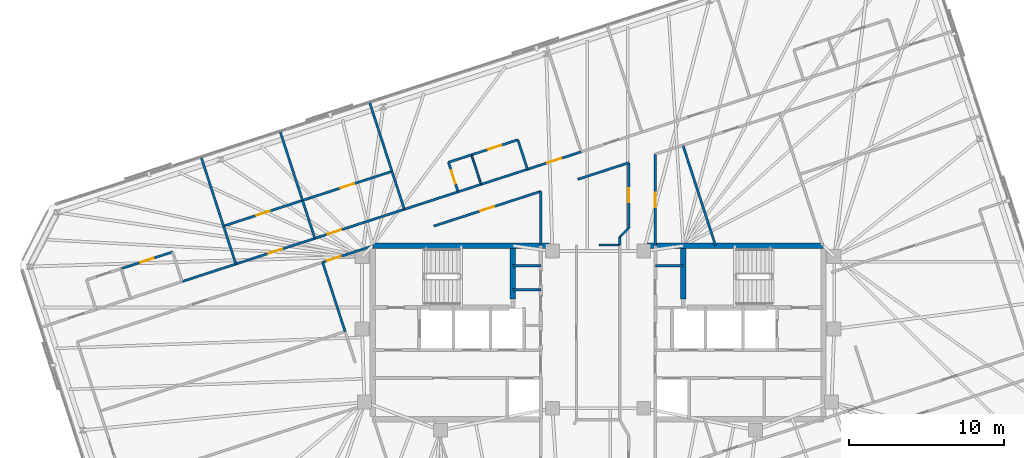
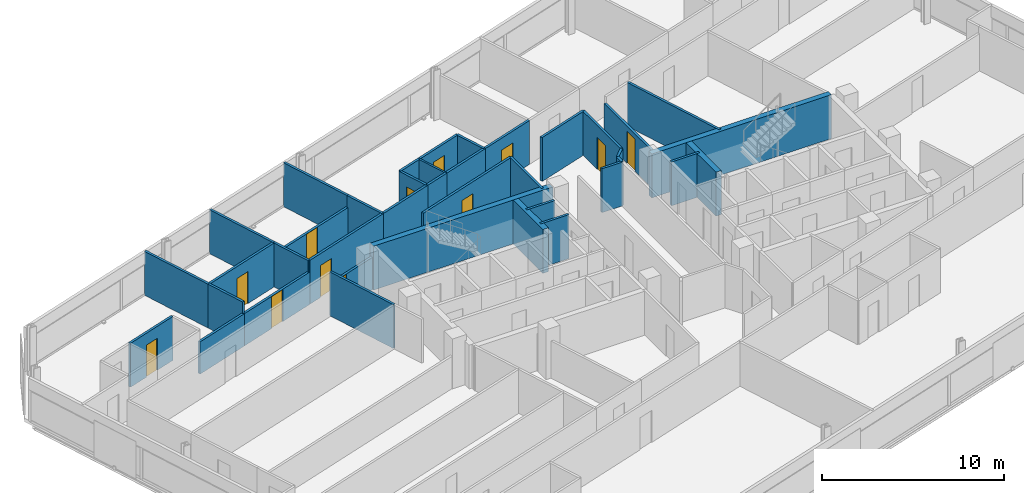
# One storey, part 16 of 19: 39 walls, 12 doors, 12 openings.
"""IFC4 building model written with IfcOpenShell, lengths in metres."""

from ifc_helpers import new_model, si_unit, direction, frame, frame_2d, origin, place, context, subcontext, project, spatial, rectangle, extrude, material, layer, layer_set, type_object, element, fill, save


model = new_model("IFC4")

# Units and contexts
model_context = context("Model", 3, precision=1e-05, world=origin(), true_north=direction((0.0, 1.0)))
body_context = subcontext(model_context, "Body", "Model", "MODEL_VIEW")
ifc_project = project(units=[si_unit("LENGTHUNIT", "METRE"), si_unit("AREAUNIT", "SQUARE_METRE"), si_unit("VOLUMEUNIT", "CUBIC_METRE"), si_unit("PLANEANGLEUNIT", "RADIAN"), si_unit("MASSUNIT", "GRAM", prefix="KILO")], contexts=[model_context])

# Site, building, storey
site_placement = place(None, origin())
site = spatial("IfcSite", under=ifc_project, at=site_placement, CompositionType="ELEMENT")
building_placement = place(site_placement, origin())
building = spatial("IfcBuilding", under=site, at=building_placement, Name="Menara Jurai Vektor", CompositionType="ELEMENT")
storey_placement = place(building_placement, frame((0.0, 0.0, 251.10009765625)))
storey = spatial("IfcBuildingStorey", under=building, at=storey_placement, Name="L67", CompositionType="ELEMENT", Elevation=251.10009765625)

# Walls
ifc_material_1 = material(Name="Gypsum Fireboard Partition", Category="gypsum")
ifc_layer_1 = layer(ifc_material_1, 0.14990234375)
ifc_layer_set_1 = layer_set([ifc_layer_1], Name="Gypsum Fireboard Partition")
wall_type_1 = type_object("IfcWallType", Name="INT-WALL-CORR-150", PredefinedType="PARTITIONING", material=ifc_layer_set_1)
for number, where, z_axis, x_axis, name in (
    (1, (-5.5, 4.300048828125, 0.0), (0.0, 0.0, 1.0), (1.0, 0.0, 0.0), "Interior Wall IW-150 L67"),
    (2, (-5.5, 2.75, 0.0), (0.0, 0.0, 1.0), (1.0, 0.0, 0.0), "Interior Wall IW-150 L67"),
    (3, (3.699951171875, 4.300048828125, 0.0), (0.0, 0.0, 1.0), (1.0, 0.0, 0.0), "Interior Wall IW-150 L67"),
):
    element("IfcWall", number, at=place(storey_placement, frame(where, z_axis=z_axis, x_axis=x_axis)), inside=storey, type_object=wall_type_1, Name=name, PredefinedType="PARTITIONING", context=body_context, shape_type="SweptSolid", body=[
        extrude(rectangle(XDim=1.800048828125, YDim=0.14990234375, at=frame_2d((0.89990234375, 0.0))), origin(), (0.0, 0.0, 1.0), 2.949951171875),
    ])
wall_1_placement = place(storey_placement, frame((-12.513427734375, 7.94921875, 0.0), z_axis=(0.0, 0.0, 1.0), x_axis=(0.951050780541, 0.309034646652, 0.0)))
element("IfcWall", 4, at=wall_1_placement, inside=storey, type_object=wall_type_1, Name="Interior Wall IW-150 L67", PredefinedType="PARTITIONING", context=body_context, shape_type="SweptSolid", body=[
    extrude(rectangle(XDim=3.64990234375, YDim=0.14990234375, at=frame_2d((1.824951171875, 0.0))), origin(), (0.0, 0.0, 1.0), 2.949951171875),
])

# Wall, opening, door
wall_2_placement = place(storey_placement, frame((-4.560791015625, 10.533203125, 0.0), z_axis=(0.0, 0.0, 1.0), x_axis=(0.951057168147, 0.309014988174, 0.0)))
wall_2 = element("IfcWall", 5, at=wall_2_placement, inside=storey, type_object=wall_type_1, Name="Interior Wall IW-150 L67", PredefinedType="PARTITIONING", context=body_context, shape_type="SweptSolid", body=[
    extrude(rectangle(XDim=3.650146484375, YDim=0.14990234375, at=frame_2d((1.8251953125, 0.0))), origin(), (0.0, 0.0, 1.0), 2.949951171875),
])
opening_1_placement = place(wall_2_placement, frame((1.35009765625, 0.0, 0.0)))
opening_1 = element("IfcOpeningElement", 6, at=opening_1_placement, cuts=wall_2, Name="Opening D67-13", PredefinedType="OPENING", context=body_context, shape_type="SweptSolid", body=[
    extrude(rectangle(XDim=0.949951171875, YDim=2.14990234375, at=frame_2d((0.47509765625, 1.074951171875))), frame((0.0, 0.0849609375, 0.0), z_axis=(0.0, -1.0, 0.0), x_axis=(1.0, 0.0, 0.0)), (0.0, 0.0, 1.0), 0.169921875),
])
ifc_material_2 = material(Name="Solid Core Timber Fire Door", Category="wood")
door_type_1 = type_object("IfcDoorType", Name="DR-ENTRY-950", OperationType="NOTDEFINED", PredefinedType="DOOR", material=ifc_material_2)
door_1_placement = place(opening_1_placement, origin())
door_1 = element("IfcDoor", 7, at=door_1_placement, inside=storey, type_object=door_type_1, Name="Interior Door D67-13", OperationType="SINGLE_SWING_LEFT", OverallHeight=2.14990234375, OverallWidth=0.949951171875, PredefinedType="DOOR", context=body_context, shape_type="SweptSolid", body=[
    extrude(rectangle(XDim=0.949951171875, YDim=2.14990234375, at=frame_2d((0.47509765625, 1.074951171875))), frame((0.0, 0.02490234375, 0.0), z_axis=(0.0, -1.0, 0.0), x_axis=(1.0, 0.0, 0.0)), (0.0, 0.0, 1.0), 0.050048828125),
])
fill(opening_1, door_1)

# Walls
wall_3_placement = place(storey_placement, frame((-9.042236328125, 9.0771484375, 0.0), z_axis=(0.0, 0.0, 1.0), x_axis=(0.951062779317, 0.308997718112, 0.0)))
element("IfcWall", 8, at=wall_3_placement, inside=storey, type_object=wall_type_1, Name="Interior Wall IW-150 L67", PredefinedType="PARTITIONING", context=body_context, shape_type="SweptSolid", body=[
    extrude(rectangle(XDim=1.56201171875, YDim=0.14990234375, at=frame_2d((0.781005859375, 0.0))), origin(), (0.0, 0.0, 1.0), 2.949951171875),
])
wall_4_placement = place(storey_placement, frame((-7.556640625, 9.559814453125, 0.0), z_axis=(0.0, 0.0, 1.0), x_axis=(0.951058557014, 0.309010713619, 0.0)))
element("IfcWall", 9, at=wall_4_placement, inside=storey, type_object=wall_type_1, Name="Interior Wall IW-150 L67", PredefinedType="PARTITIONING", context=body_context, shape_type="SweptSolid", body=[
    extrude(rectangle(XDim=3.14990234375, YDim=0.14990234375, at=frame_2d((1.574951171875, 0.0))), origin(), (0.0, 0.0, 1.0), 2.949951171875),
])
wall_5_placement = place(storey_placement, frame((-1.310791015625, 9.885986328125, 0.0), z_axis=(0.0, 0.0, 1.0), x_axis=(0.951068803905, 0.308979174442, 0.0)))
element("IfcWall", 10, at=wall_5_placement, inside=storey, type_object=wall_type_1, Name="Interior Wall IW-150 L67", PredefinedType="PARTITIONING", context=body_context, shape_type="SweptSolid", body=[
    extrude(rectangle(XDim=3.4599609375, YDim=0.14990234375, at=frame_2d((1.72998046875, 0.0))), origin(), (0.0, 0.0, 1.0), 2.949951171875),
])
wall_6_placement = place(storey_placement, frame((1.390625, 5.6494140625, 0.0), z_axis=(0.0, 0.0, 1.0), x_axis=(0.000957395444, 0.999999541697, 0.0)))
element("IfcWall", 11, at=wall_6_placement, inside=storey, type_object=wall_type_1, Name="Interior Wall IW-150 L67", PredefinedType="PARTITIONING", context=body_context, shape_type="SweptSolid", body=[
    extrude(rectangle(XDim=0.510009765625, YDim=0.14990234375, at=frame_2d((0.2548828125, 0.0))), origin(), (0.0, 0.0, 1.0), 2.949951171875),
])
wall_7_placement = place(storey_placement, frame((1.39111328125, 6.159423828125, 0.0), z_axis=(0.0, 0.0, 1.0), x_axis=(0.707106781187, 0.707106781187, 0.0)))
element("IfcWall", 12, at=wall_7_placement, inside=storey, type_object=wall_type_1, Name="Interior Wall IW-150 L67", PredefinedType="PARTITIONING", context=body_context, shape_type="SweptSolid", body=[
    extrude(rectangle(XDim=0.832763671875, YDim=0.14990234375, at=frame_2d((0.41650390625, 0.0))), origin(), (0.0, 0.0, 1.0), 2.949951171875),
])

# Wall, opening, door
wall_8_placement = place(storey_placement, frame((1.97998046875, 6.748291015625, 0.0), z_axis=(0.0, 0.0, 1.0), x_axis=(0.0, 1.0, 0.0)))
wall_8 = element("IfcWall", 13, at=wall_8_placement, inside=storey, type_object=wall_type_1, Name="Interior Wall IW-150 L67", PredefinedType="PARTITIONING", context=body_context, shape_type="SweptSolid", body=[
    extrude(rectangle(XDim=4.206787109375, YDim=0.14990234375, at=frame_2d((2.103515625, 0.0))), origin(), (0.0, 0.0, 1.0), 2.949951171875),
])
opening_2_placement = place(wall_8_placement, frame((1.643310546875, 0.0, 0.0)))
opening_2 = element("IfcOpeningElement", 14, at=opening_2_placement, cuts=wall_8, Name="Opening D67-41", PredefinedType="OPENING", context=body_context, shape_type="SweptSolid", body=[
    extrude(rectangle(XDim=0.919921875, YDim=2.14990234375, at=frame_2d((0.4599609375, 1.074951171875))), frame((0.0, 0.0849609375, 0.0), z_axis=(0.0, -1.0, 0.0), x_axis=(1.0, 0.0, 0.0)), (0.0, 0.0, 1.0), 0.169921875),
])
door_2_placement = place(opening_2_placement, origin())
door_2 = element("IfcDoor", 15, at=door_2_placement, inside=storey, type_object=door_type_1, Name="Interior Door D67-41", OperationType="SINGLE_SWING_LEFT", OverallHeight=2.14990234375, OverallWidth=0.919921875, PredefinedType="DOOR", context=body_context, shape_type="SweptSolid", body=[
    extrude(rectangle(XDim=0.919921875, YDim=2.14990234375, at=frame_2d((0.4599609375, 1.074951171875))), frame((0.0, 0.02490234375, 0.0), z_axis=(0.0, -1.0, 0.0), x_axis=(1.0, 0.0, 0.0)), (0.0, 0.0, 1.0), 0.050048828125),
])
fill(opening_2, door_2)

wall_9_placement = place(storey_placement, frame((-10.612060546875, 6.86376953125, 0.0), z_axis=(0.0, 0.0, 1.0), x_axis=(0.951060972078, 0.309003280548, 0.0)))
wall_9 = element("IfcWall", 16, at=wall_9_placement, inside=storey, type_object=wall_type_1, Name="Interior Wall IW-150 L67", PredefinedType="PARTITIONING", context=body_context, shape_type="SweptSolid", body=[
    extrude(rectangle(XDim=7.26806640625, YDim=0.14990234375, at=frame_2d((3.634033203125, 0.0))), origin(), (0.0, 0.0, 1.0), 2.949951171875),
])
opening_3_placement = place(wall_9_placement, frame((3.174072265625, 0.0, 0.0)))
opening_3 = element("IfcOpeningElement", 17, at=opening_3_placement, cuts=wall_9, Name="Opening D67-42", PredefinedType="OPENING", context=body_context, shape_type="SweptSolid", body=[
    extrude(rectangle(XDim=0.919921875, YDim=2.14990234375, at=frame_2d((0.4599609375, 1.074951171875))), frame((0.0, 0.0849609375, 0.0), z_axis=(0.0, -1.0, 0.0), x_axis=(1.0, 0.0, 0.0)), (0.0, 0.0, 1.0), 0.169921875),
])
door_3_placement = place(opening_3_placement, origin())
door_3 = element("IfcDoor", 18, at=door_3_placement, inside=storey, type_object=door_type_1, Name="Interior Door D67-42", OperationType="SINGLE_SWING_RIGHT", OverallHeight=2.14990234375, OverallWidth=0.919921875, PredefinedType="DOOR", context=body_context, shape_type="SweptSolid", body=[
    extrude(rectangle(XDim=0.919921875, YDim=2.14990234375, at=frame_2d((0.4599609375, 1.074951171875))), frame((0.0, 0.02490234375, 0.0), z_axis=(0.0, -1.0, 0.0), x_axis=(1.0, 0.0, 0.0)), (0.0, 0.0, 1.0), 0.050048828125),
])
fill(opening_3, door_3)

# Wall
wall_10_placement = place(storey_placement, frame((-3.7001953125, 5.599853515625, 0.0), z_axis=(0.0, 0.0, 1.0), x_axis=(0.000139120755, 0.999999990323, 0.0)))
element("IfcWall", 19, at=wall_10_placement, inside=storey, type_object=wall_type_1, Name="Interior Wall IW-150 L67", PredefinedType="PARTITIONING", context=body_context, shape_type="SweptSolid", body=[
    extrude(rectangle(XDim=3.509765625, YDim=0.14990234375, at=frame_2d((1.7548828125, 0.0))), origin(), (0.0, 0.0, 1.0), 2.949951171875),
])

# Wall, opening, door
wall_11_placement = place(storey_placement, frame((-18.2919921875, 6.07177734375, 0.0), z_axis=(0.0, 0.0, 1.0), x_axis=(0.951062707515, 0.30899793911, 0.0)))
wall_11 = element("IfcWall", 20, at=wall_11_placement, inside=storey, type_object=wall_type_1, Name="Interior Wall IW-150 L67", PredefinedType="PARTITIONING", context=body_context, shape_type="SweptSolid", body=[
    extrude(rectangle(XDim=6.075927734375, YDim=0.14990234375, at=frame_2d((3.0380859375, 0.0))), origin(), (0.0, 0.0, 1.0), 2.949951171875),
])
opening_4_placement = place(wall_11_placement, frame((0.876708984375, 0.0, 0.0)))
opening_4 = element("IfcOpeningElement", 21, at=opening_4_placement, cuts=wall_11, Name="Opening D67-43", PredefinedType="OPENING", context=body_context, shape_type="SweptSolid", body=[
    extrude(rectangle(XDim=0.919921875, YDim=2.14990234375, at=frame_2d((0.4599609375, 1.074951171875))), frame((0.0, 0.0849609375, 0.0), z_axis=(0.0, -1.0, 0.0), x_axis=(1.0, 0.0, 0.0)), (0.0, 0.0, 1.0), 0.169921875),
])
door_4_placement = place(opening_4_placement, origin())
door_4 = element("IfcDoor", 22, at=door_4_placement, inside=storey, type_object=door_type_1, Name="Interior Door D67-43", OperationType="SINGLE_SWING_LEFT", OverallHeight=2.14990234375, OverallWidth=0.919921875, PredefinedType="DOOR", context=body_context, shape_type="SweptSolid", body=[
    extrude(rectangle(XDim=0.919921875, YDim=2.14990234375, at=frame_2d((0.4599609375, 1.074951171875))), frame((0.0, 0.02490234375, 0.0), z_axis=(0.0, -1.0, 0.0), x_axis=(1.0, 0.0, 0.0)), (0.0, 0.0, 1.0), 0.050048828125),
])
fill(opening_4, door_4)

# Wall
wall_12_placement = place(storey_placement, frame((0.065673828125, 5.64990234375, 0.0), z_axis=(0.0, 0.0, 1.0), x_axis=(0.999999932094, -0.000368527707, 0.0)))
element("IfcWall", 23, at=wall_12_placement, inside=storey, type_object=wall_type_1, Name="Interior Wall IW-150 L67", PredefinedType="PARTITIONING", context=body_context, shape_type="SweptSolid", body=[
    extrude(rectangle(XDim=1.324951171875, YDim=0.14990234375, at=frame_2d((0.66259765625, 0.0))), origin(), (0.0, 0.0, 1.0), 2.949951171875),
])

# Wall, opening, door
wall_13_placement = place(storey_placement, frame((-30.811279296875, 4.1123046875, 0.0), z_axis=(0.0, 0.0, 1.0), x_axis=(0.951063814176, 0.308994532905, 0.0)))
wall_13 = element("IfcWall", 24, at=wall_13_placement, inside=storey, type_object=wall_type_1, Name="Interior Wall IW-150 L67", PredefinedType="PARTITIONING", context=body_context, shape_type="SweptSolid", body=[
    extrude(rectangle(XDim=3.497802734375, YDim=0.14990234375, at=frame_2d((1.7490234375, 0.0))), origin(), (0.0, 0.0, 1.0), 2.949951171875),
])
opening_5_placement = place(wall_13_placement, frame((1.299072265625, 0.0, 0.0)))
opening_5 = element("IfcOpeningElement", 25, at=opening_5_placement, cuts=wall_13, Name="Opening D67-12", PredefinedType="OPENING", context=body_context, shape_type="SweptSolid", body=[
    extrude(rectangle(XDim=0.89990234375, YDim=2.14990234375, at=frame_2d((0.449951171875, 1.074951171875))), frame((0.0, 0.0849609375, 0.0), z_axis=(0.0, -1.0, 0.0), x_axis=(1.0, 0.0, 0.0)), (0.0, 0.0, 1.0), 0.169921875),
])
ifc_material_3 = material(Name="Acoustic Timber Interior Door", Category="wood")
door_type_2 = type_object("IfcDoorType", Name="DR-ROOM-900", OperationType="NOTDEFINED", PredefinedType="DOOR", material=ifc_material_3)
door_5_placement = place(opening_5_placement, origin())
door_5 = element("IfcDoor", 26, at=door_5_placement, inside=storey, type_object=door_type_2, Name="Interior Door D67-12", OperationType="SINGLE_SWING_RIGHT", OverallHeight=2.14990234375, OverallWidth=0.89990234375, PredefinedType="DOOR", context=body_context, shape_type="SweptSolid", body=[
    extrude(rectangle(XDim=0.89990234375, YDim=2.14990234375, at=frame_2d((0.449951171875, 1.074951171875))), frame((0.0, 0.02490234375, 0.0), z_axis=(0.0, -1.0, 0.0), x_axis=(1.0, 0.0, 0.0)), (0.0, 0.0, 1.0), 0.050048828125),
])
fill(opening_5, door_5)

# Walls
wall_14_placement = place(storey_placement, frame((-23.3935546875, 4.4140625, 0.0), z_axis=(0.0, 0.0, 1.0), x_axis=(-0.308976906612, 0.951069540665, 0.0)))
element("IfcWall", 27, at=wall_14_placement, inside=storey, type_object=wall_type_1, Name="Interior Wall IW-150 L67", PredefinedType="PARTITIONING", context=body_context, shape_type="SweptSolid", body=[
    extrude(rectangle(XDim=2.5791015625, YDim=0.14990234375, at=frame_2d((1.28955078125, 0.0))), origin(), (0.0, 0.0, 1.0), 2.949951171875),
])
wall_15_placement = place(storey_placement, frame((-24.1904296875, 6.866943359375, 0.0), z_axis=(0.0, 0.0, 1.0), x_axis=(-0.309057912466, 0.951043220228, 0.0)))
element("IfcWall", 28, at=wall_15_placement, inside=storey, type_object=wall_type_1, Name="Interior Wall IW-150 L67", PredefinedType="PARTITIONING", context=body_context, shape_type="SweptSolid", body=[
    extrude(rectangle(XDim=4.704833984375, YDim=0.14990234375, at=frame_2d((2.3525390625, 0.0))), origin(), (0.0, 0.0, 1.0), 2.949951171875),
])

# Wall, opening, door
wall_16_placement = place(storey_placement, frame((-9.042236328125, 9.0771484375, 0.0), z_axis=(0.0, 0.0, 1.0), x_axis=(-0.308912611775, 0.951090425925, 0.0)))
wall_16 = element("IfcWall", 29, at=wall_16_placement, inside=storey, type_object=wall_type_1, Name="Interior Wall IW-150 L67", PredefinedType="PARTITIONING", context=body_context, shape_type="SweptSolid", body=[
    extrude(rectangle(XDim=2.005126953125, YDim=0.14990234375, at=frame_2d((1.00244140625, 0.0))), origin(), (0.0, 0.0, 1.0), 2.949951171875),
])
opening_6_placement = place(wall_16_placement, frame((0.5625, 0.0, 0.0)))
opening_6 = element("IfcOpeningElement", 30, at=opening_6_placement, cuts=wall_16, Name="Opening D67-14", PredefinedType="OPENING", context=body_context, shape_type="SweptSolid", body=[
    extrude(rectangle(XDim=0.8798828125, YDim=2.14990234375, at=frame_2d((0.43994140625, 1.074951171875))), frame((0.0, 0.0849609375, 0.0), z_axis=(0.0, -1.0, 0.0), x_axis=(1.0, 0.0, 0.0)), (0.0, 0.0, 1.0), 0.169921875),
])
ifc_material_4 = material(Name="Moisture-Resistant Timber Door", Category="wood")
door_type_3 = type_object("IfcDoorType", Name="DR-BATH-880", OperationType="NOTDEFINED", PredefinedType="DOOR", material=ifc_material_4)
door_6_placement = place(opening_6_placement, origin())
door_6 = element("IfcDoor", 31, at=door_6_placement, inside=storey, type_object=door_type_3, Name="Interior Door D67-14", OperationType="SINGLE_SWING_RIGHT", OverallHeight=2.14990234375, OverallWidth=0.8798828125, PredefinedType="DOOR", context=body_context, shape_type="SweptSolid", body=[
    extrude(rectangle(XDim=0.8798828125, YDim=2.14990234375, at=frame_2d((0.43994140625, 1.074951171875))), frame((0.0, 0.02490234375, 0.0), z_axis=(0.0, -1.0, 0.0), x_axis=(1.0, 0.0, 0.0)), (0.0, 0.0, 1.0), 0.050048828125),
])
fill(opening_6, door_6)

# Wall
wall_17_placement = place(storey_placement, frame((-9.66162109375, 10.984130859375, 0.0), z_axis=(0.0, 0.0, 1.0), x_axis=(0.951047852885, 0.309043656337, 0.0)))
element("IfcWall", 32, at=wall_17_placement, inside=storey, type_object=wall_type_1, Name="Interior Wall IW-150 L67", PredefinedType="PARTITIONING", context=body_context, shape_type="SweptSolid", body=[
    extrude(rectangle(XDim=1.561767578125, YDim=0.14990234375, at=frame_2d((0.78076171875, 0.0))), origin(), (0.0, 0.0, 1.0), 2.949951171875),
])

# Wall, opening, door
wall_18_placement = place(storey_placement, frame((-8.17626953125, 11.466796875, 0.0), z_axis=(0.0, 0.0, 1.0), x_axis=(0.951058557014, 0.309010713619, 0.0)))
wall_18 = element("IfcWall", 33, at=wall_18_placement, inside=storey, type_object=wall_type_1, Name="Interior Wall IW-150 L67", PredefinedType="PARTITIONING", context=body_context, shape_type="SweptSolid", body=[
    extrude(rectangle(XDim=3.14990234375, YDim=0.14990234375, at=frame_2d((1.574951171875, 0.0))), origin(), (0.0, 0.0, 1.0), 2.949951171875),
])
opening_7_placement = place(wall_18_placement, frame((1.125, 0.0, 0.0)))
opening_7 = element("IfcOpeningElement", 34, at=opening_7_placement, cuts=wall_18, Name="Opening D67-15", PredefinedType="OPENING", context=body_context, shape_type="SweptSolid", body=[
    extrude(rectangle(XDim=0.89990234375, YDim=2.14990234375, at=frame_2d((0.449951171875, 1.074951171875))), frame((0.0, 0.0849609375, 0.0), z_axis=(0.0, -1.0, 0.0), x_axis=(1.0, 0.0, 0.0)), (0.0, 0.0, 1.0), 0.169921875),
])
door_7_placement = place(opening_7_placement, origin())
door_7 = element("IfcDoor", 35, at=door_7_placement, inside=storey, type_object=door_type_2, Name="Interior Door D67-15", OperationType="SINGLE_SWING_LEFT", OverallHeight=2.14990234375, OverallWidth=0.89990234375, PredefinedType="DOOR", context=body_context, shape_type="SweptSolid", body=[
    extrude(rectangle(XDim=0.89990234375, YDim=2.14990234375, at=frame_2d((0.449951171875, 1.074951171875))), frame((0.0, 0.02490234375, 0.0), z_axis=(0.0, -1.0, 0.0), x_axis=(1.0, 0.0, 0.0)), (0.0, 0.0, 1.0), 0.050048828125),
])
fill(opening_7, door_7)

# Walls
wall_19_placement = place(storey_placement, frame((-4.560791015625, 10.533203125, 0.0), z_axis=(0.0, 0.0, 1.0), x_axis=(-0.309022749039, 0.951054646472, 0.0)))
element("IfcWall", 36, at=wall_19_placement, inside=storey, type_object=wall_type_1, Name="Interior Wall IW-150 L67", PredefinedType="PARTITIONING", context=body_context, shape_type="SweptSolid", body=[
    extrude(rectangle(XDim=2.005126953125, YDim=0.14990234375, at=frame_2d((1.00244140625, 0.0))), origin(), (0.0, 0.0, 1.0), 2.949951171875),
])
wall_20_placement = place(storey_placement, frame((-12.513427734375, 7.94921875, 0.0), z_axis=(0.0, 0.0, 1.0), x_axis=(-0.309062527822, 0.951041720376, 0.0)))
element("IfcWall", 37, at=wall_20_placement, inside=storey, type_object=wall_type_1, Name="Interior Wall IW-150 L67", PredefinedType="PARTITIONING", context=body_context, shape_type="SweptSolid", body=[
    extrude(rectangle(XDim=2.5791015625, YDim=0.14990234375, at=frame_2d((1.28955078125, 0.0))), origin(), (0.0, 0.0, 1.0), 2.949951171875),
])
wall_21_placement = place(storey_placement, frame((-13.310546875, 10.402099609375, 0.0), z_axis=(0.0, 0.0, 1.0), x_axis=(-0.309010977541, 0.951058471262, 0.0)))
element("IfcWall", 38, at=wall_21_placement, inside=storey, type_object=wall_type_1, Name="Interior Wall IW-150 L67", PredefinedType="PARTITIONING", context=body_context, shape_type="SweptSolid", body=[
    extrude(rectangle(XDim=4.704833984375, YDim=0.14990234375, at=frame_2d((2.3525390625, 0.0))), origin(), (0.0, 0.0, 1.0), 2.949951171875),
])
wall_22_placement = place(storey_placement, frame((-16.3369140625, 0.054443359375, 0.0), z_axis=(0.0, 0.0, 1.0), x_axis=(-0.309029776355, 0.951052363083, 0.0)))
element("IfcWall", 39, at=wall_22_placement, inside=storey, type_object=wall_type_1, Name="Interior Wall IW-150 L67", PredefinedType="PARTITIONING", context=body_context, shape_type="SweptSolid", body=[
    extrude(rectangle(XDim=4.70703125, YDim=0.14990234375, at=frame_2d((2.353515625, 0.0))), origin(), (0.0, 0.0, 1.0), 2.949951171875),
])

# Wall, opening, door
wall_23_placement = place(storey_placement, frame((-24.1904296875, 6.866943359375, 0.0), z_axis=(0.0, 0.0, 1.0), x_axis=(0.951059152206, 0.309008881758, 0.0)))
wall_23 = element("IfcWall", 40, at=wall_23_placement, inside=storey, type_object=wall_type_1, Name="Interior Wall IW-150 L67", PredefinedType="PARTITIONING", context=body_context, shape_type="SweptSolid", body=[
    extrude(rectangle(XDim=5.36376953125, YDim=0.14990234375, at=frame_2d((2.681884765625, 0.0))), origin(), (0.0, 0.0, 1.0), 2.949951171875),
])
opening_8_placement = place(wall_23_placement, frame((2.221923828125, 0.0, 0.0)))
opening_8 = element("IfcOpeningElement", 41, at=opening_8_placement, cuts=wall_23, Name="Opening D67-31", PredefinedType="OPENING", context=body_context, shape_type="SweptSolid", body=[
    extrude(rectangle(XDim=0.919921875, YDim=2.14990234375, at=frame_2d((0.4599609375, 1.074951171875))), frame((0.0, 0.0849609375, 0.0), z_axis=(0.0, -1.0, 0.0), x_axis=(1.0, 0.0, 0.0)), (0.0, 0.0, 1.0), 0.169921875),
])
door_8_placement = place(opening_8_placement, origin())
door_8 = element("IfcDoor", 42, at=door_8_placement, inside=storey, type_object=door_type_1, Name="Interior Door D67-31", OperationType="SINGLE_SWING_LEFT", OverallHeight=2.14990234375, OverallWidth=0.919921875, PredefinedType="DOOR", context=body_context, shape_type="SweptSolid", body=[
    extrude(rectangle(XDim=0.919921875, YDim=2.14990234375, at=frame_2d((0.4599609375, 1.074951171875))), frame((0.0, 0.02490234375, 0.0), z_axis=(0.0, -1.0, 0.0), x_axis=(1.0, 0.0, 0.0)), (0.0, 0.0, 1.0), 0.050048828125),
])
fill(opening_8, door_8)

# Walls
wall_24_placement = place(storey_placement, frame((-18.2919921875, 6.07177734375, 0.0), z_axis=(0.0, 0.0, 1.0), x_axis=(-0.309090353524, 0.951032677335, 0.0)))
element("IfcWall", 43, at=wall_24_placement, inside=storey, type_object=wall_type_1, Name="Interior Wall IW-150 L67", PredefinedType="PARTITIONING", context=body_context, shape_type="SweptSolid", body=[
    extrude(rectangle(XDim=2.578857421875, YDim=0.14990234375, at=frame_2d((1.28955078125, 0.0))), origin(), (0.0, 0.0, 1.0), 2.949951171875),
])
wall_25_placement = place(storey_placement, frame((-19.089111328125, 8.5244140625, 0.0), z_axis=(0.0, 0.0, 1.0), x_axis=(-0.308995728133, 0.951063425853, 0.0)))
element("IfcWall", 44, at=wall_25_placement, inside=storey, type_object=wall_type_1, Name="Interior Wall IW-150 L67", PredefinedType="PARTITIONING", context=body_context, shape_type="SweptSolid", body=[
    extrude(rectangle(XDim=4.705078125, YDim=0.14990234375, at=frame_2d((2.3525390625, 0.0))), origin(), (0.0, 0.0, 1.0), 2.949951171875),
])
wall_26_placement = place(storey_placement, frame((7.58837890625, 5.60009765625, 0.0), z_axis=(0.0, 0.0, 1.0), x_axis=(-0.309018946982, 0.951055881852, 0.0)))
element("IfcWall", 45, at=wall_26_placement, inside=storey, type_object=wall_type_1, Name="Interior Wall IW-150 L67", PredefinedType="PARTITIONING", context=body_context, shape_type="SweptSolid", body=[
    extrude(rectangle(XDim=6.825927734375, YDim=0.14990234375, at=frame_2d((3.4130859375, 0.0))), origin(), (0.0, 0.0, 1.0), 2.949951171875),
])

# Wall, opening, door
ifc_layer_2 = layer(ifc_material_1, 0.14990234375)
ifc_layer_set_2 = layer_set([ifc_layer_2], Name="Gypsum Fireboard Partition")
wall_type_2 = type_object("IfcWallType", Name="INT-WALL-CORR-150-H1", PredefinedType="PARTITIONING", material=ifc_layer_set_2)
wall_27_placement = place(storey_placement, frame((3.7001953125, 5.599609375, 0.0), z_axis=(0.0, 0.0, 1.0), x_axis=(-0.000123839008, 0.999999992332, 0.0)))
wall_27 = element("IfcWall", 46, at=wall_27_placement, inside=storey, type_object=wall_type_2, Name="Interior Wall IW-150 L67", PredefinedType="PARTITIONING", context=body_context, shape_type="SweptSolid", body=[
    extrude(rectangle(XDim=5.914306640625, YDim=0.14990234375, at=frame_2d((2.95703125, 0.0))), origin(), (0.0, 0.0, 1.0), 2.5),
])
opening_9_placement = place(wall_27_placement, frame((2.497314453125, 0.0, 0.0)))
opening_9 = element("IfcOpeningElement", 47, at=opening_9_placement, cuts=wall_27, Name="Opening D67-38", PredefinedType="OPENING", context=body_context, shape_type="SweptSolid", body=[
    extrude(rectangle(XDim=0.919921875, YDim=2.14990234375, at=frame_2d((0.4599609375, 1.074951171875))), frame((0.0, 0.0849609375, 0.0), z_axis=(0.0, -1.0, 0.0), x_axis=(1.0, 0.0, 0.0)), (0.0, 0.0, 1.0), 0.169921875),
])
door_9_placement = place(opening_9_placement, origin())
door_9 = element("IfcDoor", 48, at=door_9_placement, inside=storey, type_object=door_type_1, Name="Interior Door D67-38", OperationType="SINGLE_SWING_RIGHT", OverallHeight=2.14990234375, OverallWidth=0.919921875, PredefinedType="DOOR", context=body_context, shape_type="SweptSolid", body=[
    extrude(rectangle(XDim=0.919921875, YDim=2.14990234375, at=frame_2d((0.4599609375, 1.074951171875))), frame((0.0, 0.02490234375, 0.0), z_axis=(0.0, -1.0, 0.0), x_axis=(1.0, 0.0, 0.0)), (0.0, 0.0, 1.0), 0.050048828125),
])
fill(opening_9, door_9)

# Wall
ifc_layer_3 = layer(ifc_material_1, 0.14990234375)
ifc_layer_set_3 = layer_set([ifc_layer_3], Name="Gypsum Fireboard Partition")
wall_type_3 = type_object("IfcWallType", Name="INT-WALL-CORR-150-H3", PredefinedType="PARTITIONING", material=ifc_layer_set_3)
wall_28_placement = place(storey_placement, frame((-26.864990234375, 3.2861328125, 0.0), z_axis=(0.0, 0.0, 1.0), x_axis=(0.951057168147, 0.309014988174, 0.0)))
element("IfcWall", 49, at=wall_28_placement, inside=storey, type_object=wall_type_3, Name="Interior Wall IW-150 L67", PredefinedType="PARTITIONING", context=body_context, shape_type="SweptSolid", body=[
    extrude(rectangle(XDim=3.650146484375, YDim=0.14990234375, at=frame_2d((1.8251953125, 0.0))), origin(), (0.0, 0.0, 1.0), 2.169921875),
])

# Wall, opening, door
wall_29_placement = place(storey_placement, frame((-23.3935546875, 4.4140625, 0.0), z_axis=(0.0, 0.0, 1.0), x_axis=(0.951050121956, 0.309036673434, 0.0)))
wall_29 = element("IfcWall", 50, at=wall_29_placement, inside=storey, type_object=wall_type_3, Name="Interior Wall IW-150 L67", PredefinedType="PARTITIONING", context=body_context, shape_type="SweptSolid", body=[
    extrude(rectangle(XDim=5.3642578125, YDim=0.14990234375, at=frame_2d((2.68212890625, 0.0))), origin(), (0.0, 0.0, 1.0), 2.169921875),
])
opening_10_placement = place(wall_29_placement, frame((2.221923828125, 0.0, 0.0)))
opening_10 = element("IfcOpeningElement", 51, at=opening_10_placement, cuts=wall_29, Name="Opening D67-30", PredefinedType="OPENING", context=body_context, shape_type="SweptSolid", body=[
    extrude(rectangle(XDim=0.919921875, YDim=2.14990234375, at=frame_2d((0.4599609375, 1.074951171875))), frame((0.0, 0.0849609375, 0.0), z_axis=(0.0, -1.0, 0.0), x_axis=(1.0, 0.0, 0.0)), (0.0, 0.0, 1.0), 0.169921875),
])
door_10_placement = place(opening_10_placement, origin())
door_10 = element("IfcDoor", 52, at=door_10_placement, inside=storey, type_object=door_type_1, Name="Interior Door D67-30", OperationType="SINGLE_SWING_RIGHT", OverallHeight=2.14990234375, OverallWidth=0.919921875, PredefinedType="DOOR", context=body_context, shape_type="SweptSolid", body=[
    extrude(rectangle(XDim=0.919921875, YDim=2.14990234375, at=frame_2d((0.4599609375, 1.074951171875))), frame((0.0, 0.02490234375, 0.0), z_axis=(0.0, -1.0, 0.0), x_axis=(1.0, 0.0, 0.0)), (0.0, 0.0, 1.0), 0.050048828125),
])
fill(opening_10, door_10)

wall_30_placement = place(storey_placement, frame((-17.79150390625, 4.531005859375, 0.0), z_axis=(0.0, 0.0, 1.0), x_axis=(0.951047546178, 0.309044600193, 0.0)))
wall_30 = element("IfcWall", 53, at=wall_30_placement, inside=storey, type_object=wall_type_3, Name="Interior Wall IW-150 L67", PredefinedType="PARTITIONING", context=body_context, shape_type="SweptSolid", body=[
    extrude(rectangle(XDim=3.4609375, YDim=0.14990234375, at=frame_2d((1.73046875, 0.0))), origin(), (0.0, 0.0, 1.0), 2.169921875),
])
opening_11_placement = place(wall_30_placement, frame((0.301513671875, 0.0, 0.0)))
opening_11 = element("IfcOpeningElement", 54, at=opening_11_placement, cuts=wall_30, Name="Opening D67-40", PredefinedType="OPENING", context=body_context, shape_type="SweptSolid", body=[
    extrude(rectangle(XDim=0.919921875, YDim=2.14990234375, at=frame_2d((0.4599609375, 1.074951171875))), frame((0.0, 0.0849609375, 0.0), z_axis=(0.0, -1.0, 0.0), x_axis=(1.0, 0.0, 0.0)), (0.0, 0.0, 1.0), 0.169921875),
])
door_11_placement = place(opening_11_placement, origin())
door_11 = element("IfcDoor", 55, at=door_11_placement, inside=storey, type_object=door_type_1, Name="Interior Door D67-40", OperationType="SINGLE_SWING_RIGHT", OverallHeight=2.14990234375, OverallWidth=0.919921875, PredefinedType="DOOR", context=body_context, shape_type="SweptSolid", body=[
    extrude(rectangle(XDim=0.919921875, YDim=2.14990234375, at=frame_2d((0.4599609375, 1.074951171875))), frame((0.0, 0.02490234375, 0.0), z_axis=(0.0, -1.0, 0.0), x_axis=(1.0, 0.0, 0.0)), (0.0, 0.0, 1.0), 0.050048828125),
])
fill(opening_11, door_11)

wall_31_placement = place(storey_placement, frame((-19.089111328125, 8.5244140625, 0.0), z_axis=(0.0, 0.0, 1.0), x_axis=(0.951050898488, 0.309034283674, 0.0)))
wall_31 = element("IfcWall", 56, at=wall_31_placement, inside=storey, type_object=wall_type_3, Name="Interior Wall IW-150 L67", PredefinedType="PARTITIONING", context=body_context, shape_type="SweptSolid", body=[
    extrude(rectangle(XDim=6.075927734375, YDim=0.14990234375, at=frame_2d((3.0380859375, 0.0))), origin(), (0.0, 0.0, 1.0), 2.169921875),
])
opening_12_placement = place(wall_31_placement, frame((2.577880859375, 0.0, 0.0)))
opening_12 = element("IfcOpeningElement", 57, at=opening_12_placement, cuts=wall_31, Name="Opening D67-44", PredefinedType="OPENING", context=body_context, shape_type="SweptSolid", body=[
    extrude(rectangle(XDim=0.919921875, YDim=2.14990234375, at=frame_2d((0.4599609375, 1.074951171875))), frame((0.0, 0.0849609375, 0.0), z_axis=(0.0, -1.0, 0.0), x_axis=(1.0, 0.0, 0.0)), (0.0, 0.0, 1.0), 0.169921875),
])
door_12_placement = place(opening_12_placement, origin())
door_12 = element("IfcDoor", 58, at=door_12_placement, inside=storey, type_object=door_type_1, Name="Interior Door D67-44", OperationType="SINGLE_SWING_RIGHT", OverallHeight=2.14990234375, OverallWidth=0.919921875, PredefinedType="DOOR", context=body_context, shape_type="SweptSolid", body=[
    extrude(rectangle(XDim=0.919921875, YDim=2.14990234375, at=frame_2d((0.4599609375, 1.074951171875))), frame((0.0, 0.02490234375, 0.0), z_axis=(0.0, -1.0, 0.0), x_axis=(1.0, 0.0, 0.0)), (0.0, 0.0, 1.0), 0.050048828125),
])
fill(opening_12, door_12)

# Walls
ifc_material_5 = material(Name="Gypsum Acoustic Stud Partition", Category="gypsum")
ifc_layer_4 = layer(ifc_material_5, 0.1201171875)
ifc_layer_set_4 = layer_set([ifc_layer_4], Name="Gypsum Acoustic Stud Partition")
wall_type_4 = type_object("IfcWallType", Name="INT-WALL-PART-120", PredefinedType="PARTITIONING", material=ifc_layer_set_4)
wall_32_placement = place(storey_placement, frame((-7.556640625, 9.559814453125, 0.0), z_axis=(0.0, 0.0, 1.0), x_axis=(-0.309022749039, 0.951054646472, 0.0)))
element("IfcWall", 59, at=wall_32_placement, inside=storey, type_object=wall_type_4, Name="Interior Wall IW-120 L67", PredefinedType="PARTITIONING", context=body_context, shape_type="SweptSolid", body=[
    extrude(rectangle(XDim=2.005126953125, YDim=0.1201171875, at=frame_2d((1.00244140625, 0.0))), origin(), (0.0, 0.0, 1.0), 2.949951171875),
])
ifc_material_6 = material(Name="Concrete C50/60", Category="concrete")
ifc_layer_5 = layer(ifc_material_6, 0.35009765625)
ifc_layer_set_5 = layer_set([ifc_layer_5], Name="Concrete C50/60")
wall_type_5 = type_object("IfcWallType", Name="STR-WALL-CORE350", PredefinedType="SHEAR", material=ifc_layer_set_5)
wall_33_placement = place(storey_placement, frame((-14.56005859375, 5.60009765625, 0.0), z_axis=(0.0, 0.0, 1.0), x_axis=(1.0, 0.0, 0.0)))
element("IfcWall", 60, at=wall_33_placement, inside=storey, type_object=wall_type_5, Name="Core Shear Wall CW-W-N L67", PredefinedType="SHEAR", context=body_context, shape_type="SweptSolid", body=[
    extrude(rectangle(XDim=11.41015625, YDim=0.35009765625, at=frame_2d((5.705078125, 0.0))), origin(), (0.0, 0.0, 1.0), 2.949951171875),
])
wall_34_placement = place(storey_placement, frame((-5.5, 2.14990234375, 0.0), z_axis=(0.0, 0.0, 1.0), x_axis=(0.0, 1.0, 0.0)))
element("IfcWall", 61, at=wall_34_placement, inside=storey, type_object=wall_type_5, Name="Core Shear Wall CW-W-ST L67", PredefinedType="SHEAR", context=body_context, shape_type="SweptSolid", body=[
    extrude(rectangle(XDim=3.275146484375, YDim=0.35009765625, at=frame_2d((1.6376953125, 0.0))), origin(), (0.0, 0.0, 1.0), 2.949951171875),
])
wall_35_placement = place(storey_placement, frame((3.14990234375, 5.60009765625, 0.0), z_axis=(0.0, 0.0, 1.0), x_axis=(1.0, 0.0, 0.0)))
element("IfcWall", 62, at=wall_35_placement, inside=storey, type_object=wall_type_5, Name="Core Shear Wall CW-E-N L67", PredefinedType="SHEAR", context=body_context, shape_type="SweptSolid", body=[
    extrude(rectangle(XDim=11.41015625, YDim=0.35009765625, at=frame_2d((5.705078125, 0.0))), origin(), (0.0, 0.0, 1.0), 2.949951171875),
])
wall_36_placement = place(storey_placement, frame((5.5, 2.14990234375, 0.0), z_axis=(0.0, 0.0, 1.0), x_axis=(0.0, 1.0, 0.0)))
element("IfcWall", 63, at=wall_36_placement, inside=storey, type_object=wall_type_5, Name="Core Shear Wall CW-E-ST L67", PredefinedType="SHEAR", context=body_context, shape_type="SweptSolid", body=[
    extrude(rectangle(XDim=3.275146484375, YDim=0.35009765625, at=frame_2d((1.6376953125, 0.0))), origin(), (0.0, 0.0, 1.0), 2.949951171875),
])

save(model, "model.ifc")
